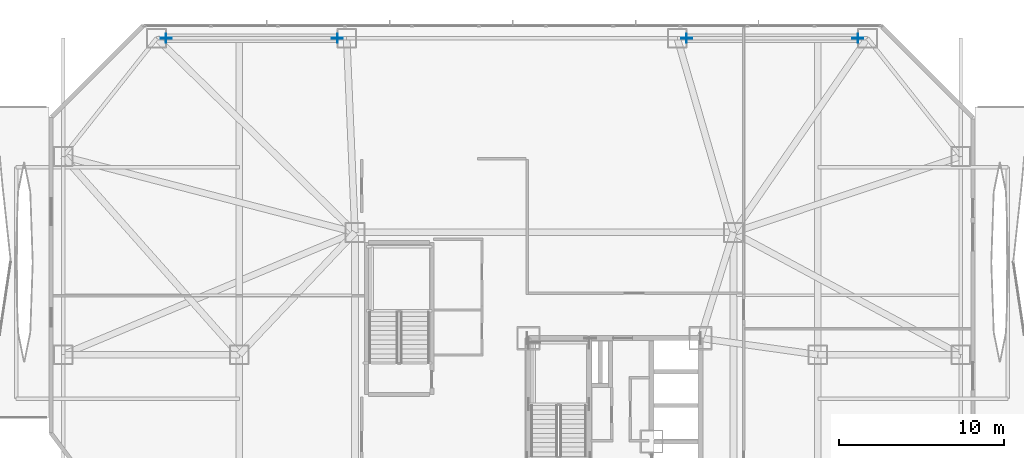
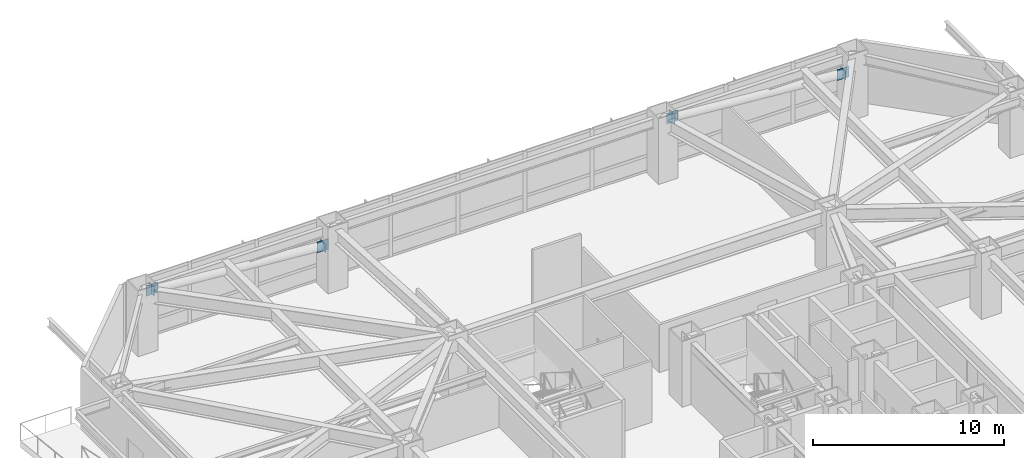
# One storey, part 15 of 25: 8 plates.
"""IFC4 building model written with IfcOpenShell, lengths in metres."""

from ifc_helpers import new_model, si_unit, direction, frame, origin, origin_2d, place, context, subcontext, project, spatial, rectangle, extrude, material, layer, layer_set, type_object, element, save


model = new_model("IFC4")

# Units and contexts
model_context = context("Model", 3, precision=1e-05, world=origin(), true_north=direction((0.0, 1.0)))
body_context = subcontext(model_context, "Body", "Model", "MODEL_VIEW")
ifc_project = project(units=[si_unit("LENGTHUNIT", "METRE"), si_unit("AREAUNIT", "SQUARE_METRE"), si_unit("VOLUMEUNIT", "CUBIC_METRE"), si_unit("PLANEANGLEUNIT", "RADIAN"), si_unit("MASSUNIT", "GRAM", prefix="KILO")], contexts=[model_context])

# Site, building, storey
site_placement = place(None, origin())
site = spatial("IfcSite", under=ifc_project, at=site_placement, CompositionType="ELEMENT")
building_placement = place(site_placement, origin())
building = spatial("IfcBuilding", under=site, at=building_placement, Name="Khamvora Tower", CompositionType="ELEMENT")
storey_placement = place(building_placement, frame((0.0, 0.0, 24.60009765625)))
storey = spatial("IfcBuildingStorey", under=building, at=storey_placement, Name="L05", CompositionType="ELEMENT", Elevation=24.60009765625)

# Plates
ifc_material_1 = material(Name="Steel S355", Category="steel")
ifc_layer_1 = layer(ifc_material_1, 0.02490234375)
ifc_layer_set_1 = layer_set([ifc_layer_1], Name="Steel S355")
plate_type_1 = type_object("IfcPlateType", Name="PL-CAP-25", PredefinedType="SHEET", material=ifc_layer_set_1)
for number, where, z_axis, x_axis, name in (
    (1, (17.43408203125, 55.14990234375, 2.44189453125), (0.0, 0.0, 1.0), (-1.0, 0.0, 0.0), "L05 hollow section steel end cap plate 0448"),
    (2, (7.06591796875, 55.14990234375, 3.28173828125), (0.0, 0.0, 1.0), (-1.0, 0.0, 0.0), "L05 hollow section steel end cap plate 0449"),
    (3, (48.93408203125, 55.14990234375, 2.44189453125), (0.0, 0.0, 1.0), (-1.0, 0.0, 0.0), "L05 hollow section steel end cap plate 0450"),
    (4, (38.56591796875, 55.14990234375, 3.28173828125), (0.0, 0.0, 1.0), (-1.0, 0.0, 0.0), "L05 hollow section steel end cap plate 0451"),
):
    element("IfcPlate", number, at=place(storey_placement, frame(where, z_axis=z_axis, x_axis=x_axis)), inside=storey, type_object=plate_type_1, Name=name, PredefinedType="SHEET", context=body_context, shape_type="SweptSolid", body=[
        extrude(rectangle(XDim=0.02490234375, YDim=0.568115234375, at=origin_2d()), origin(), (0.0, 0.0, 1.0), 0.568115234375),
    ])
ifc_material_2 = material(Name="Steel S460", Category="steel")
ifc_layer_2 = layer(ifc_material_2, 0.0400390625)
ifc_layer_set_2 = layer_set([ifc_layer_2], Name="Steel S460")
plate_type_2 = type_object("IfcPlateType", Name="PLT-GUS-40", PredefinedType="SHEET", material=ifc_layer_set_2)
for number, where, z_axis, x_axis, name in (
    (5, (17.422119140625, 55.14990234375, 2.38671875), (0.0, 0.0, 1.0), (1.0, 0.0, 0.0), "L05 brace connection node gusset plate 0061"),
    (6, (7.077880859375, 55.14990234375, 3.22509765625), (0.0, 0.0, 1.0), (1.0, 0.0, 0.0), "L05 brace connection node gusset plate 0062"),
    (7, (48.922119140625, 55.14990234375, 2.38671875), (0.0, 0.0, 1.0), (1.0, 0.0, 0.0), "L05 brace connection node gusset plate 0063"),
    (8, (38.577880859375, 55.14990234375, 3.22509765625), (0.0, 0.0, 1.0), (1.0, 0.0, 0.0), "L05 brace connection node gusset plate 0064"),
):
    element("IfcPlate", number, at=place(storey_placement, frame(where, z_axis=z_axis, x_axis=x_axis)), inside=storey, type_object=plate_type_2, Name=name, PredefinedType="SHEET", context=body_context, shape_type="SweptSolid", body=[
        extrude(rectangle(XDim=0.679931640625, YDim=0.0400390625, at=origin_2d()), origin(), (0.0, 0.0, 1.0), 0.679931640625),
    ])

save(model, "model.ifc")
